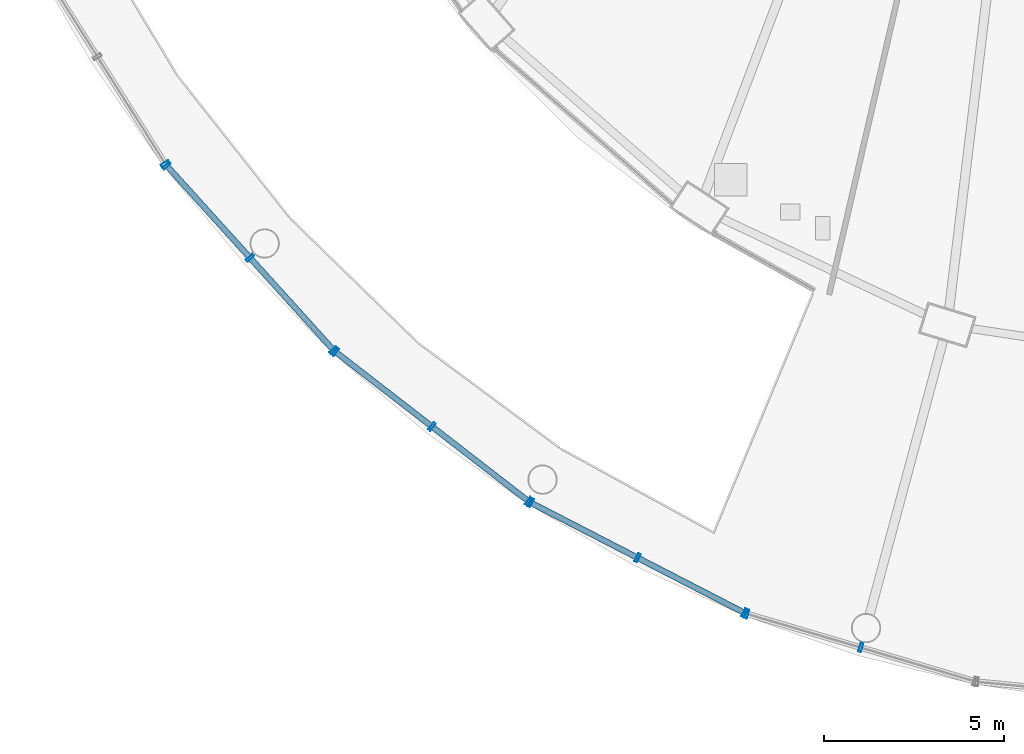
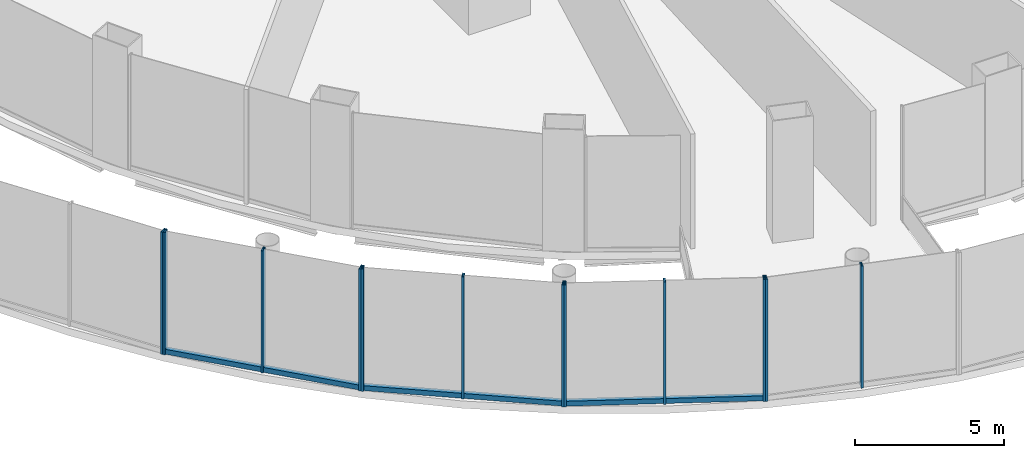
# One storey, part 3 of 47: 15 members, 5 elements without a shape of their own.
"""IFC4 building model written with IfcOpenShell, lengths in metres."""

from ifc_helpers import new_model, si_unit, direction, frame, origin, origin_2d, place, context, subcontext, project, spatial, hollow_rectangle, extrude, material, layer, layer_set, material_profile, profile_set, type_object, element, aggregate, save


model = new_model("IFC4")

# Units and contexts
model_context = context("Model", 3, precision=1e-05, world=origin(), true_north=direction((0.0, 1.0)))
body_context = subcontext(model_context, "Body", "Model", "MODEL_VIEW")
ifc_project = project(units=[si_unit("LENGTHUNIT", "METRE"), si_unit("AREAUNIT", "SQUARE_METRE"), si_unit("VOLUMEUNIT", "CUBIC_METRE"), si_unit("PLANEANGLEUNIT", "RADIAN"), si_unit("MASSUNIT", "GRAM", prefix="KILO")], contexts=[model_context])

# Site, building, storey
site_placement = place(None, origin())
site = spatial("IfcSite", under=ifc_project, at=site_placement, CompositionType="ELEMENT")
building_placement = place(site_placement, origin())
building = spatial("IfcBuilding", under=site, at=building_placement, Name="Nagisa Residences", CompositionType="ELEMENT")
storey_placement = place(building_placement, frame((0.0, 0.0, 7.0)))
storey = spatial("IfcBuildingStorey", under=building, at=storey_placement, Name="L01", CompositionType="ELEMENT", Elevation=7.0)

# Curtain wall, member
ifc_material_1 = material(Name="Stainless steel curtain wall system", Category="steel")
ifc_layer = layer(ifc_material_1, 0.159912109375)
ifc_layer_set = layer_set([ifc_layer], Name="CW3 CURTAIN WALL")
curtain_wall_type = type_object("IfcCurtainWallType", Name="CW3 CURTAIN WALL", PredefinedType="NOTDEFINED", material=ifc_layer_set)
curtain_wall_1_placement = place(storey_placement, origin())
curtain_wall_1 = element("IfcCurtainWall", 1, at=curtain_wall_1_placement, inside=storey, type_object=curtain_wall_type, Name="cw:CW3:L01:21", PredefinedType="NOTDEFINED")
ifc_material_2 = material(Name="Stainless steel", Category="steel")
ifc_material_profile_1 = material_profile(ifc_material_2, hollow_rectangle(XDim=0.25, YDim=0.080078125, WallThickness=0.008056640625, at=origin_2d()), Name="CW3 MULLION 250x80")
ifc_profile_set_1 = profile_set([ifc_material_profile_1], Name="Stainless steel")
member_type_1 = type_object("IfcMemberType", Name="CW3 MULLION 250x80", PredefinedType="MULLION", material=ifc_profile_set_1)
member_1_placement = place(storey_placement, frame((-25.463623046875, -26.92041015625, 0.0), z_axis=(0.0, 0.0, 1.0), x_axis=(0.844747368001, 0.535165286856, 0.0)))
member_1 = element("IfcMember", 2, at=member_1_placement, type_object=member_type_1, Name="CW3 mullion", PredefinedType="MULLION", context=body_context, shape_type="SweptSolid", body=[
    extrude(hollow_rectangle(XDim=0.25, YDim=0.080078125, WallThickness=0.008056640625, at=origin_2d()), origin(), (0.0, 0.0, 1.0), 5.0),
])
aggregate(curtain_wall_1, [member_1])

# Curtain wall, members
curtain_wall_2_placement = place(storey_placement, origin())
curtain_wall_2 = element("IfcCurtainWall", 3, at=curtain_wall_2_placement, inside=storey, type_object=curtain_wall_type, Name="cw:CW3:L01:22", PredefinedType="NOTDEFINED")
member_2_placement = place(storey_placement, frame((-25.423583984375, -26.97314453125, 0.0), z_axis=(0.0, 0.0, 1.0), x_axis=(0.741535779122, 0.670913323971, 0.0)))
member_2 = element("IfcMember", 4, at=member_2_placement, type_object=member_type_1, Name="CW3 mullion", PredefinedType="MULLION", context=body_context, shape_type="SweptSolid", body=[
    extrude(hollow_rectangle(XDim=0.25, YDim=0.080078125, WallThickness=0.008056640625, at=origin_2d()), origin(), (0.0, 0.0, 1.0), 5.0),
])
member_3_placement = place(storey_placement, frame((-23.1083984375, -29.53173828125, 0.0), z_axis=(0.0, 0.0, 1.0), x_axis=(0.741535779122, 0.670913323971, 0.0)))
member_3 = element("IfcMember", 5, at=member_3_placement, type_object=member_type_1, Name="CW3 mullion", PredefinedType="MULLION", context=body_context, shape_type="SweptSolid", body=[
    extrude(hollow_rectangle(XDim=0.25, YDim=0.080078125, WallThickness=0.008056640625, at=origin_2d()), origin(), (0.0, 0.0, 1.0), 5.0),
])
member_4_placement = place(storey_placement, frame((-20.79345703125, -32.090576171875, 0.0), z_axis=(0.0, 0.0, 1.0), x_axis=(0.741535779122, 0.670913323971, 0.0)))
member_4 = element("IfcMember", 6, at=member_4_placement, type_object=member_type_1, Name="CW3 mullion", PredefinedType="MULLION", context=body_context, shape_type="SweptSolid", body=[
    extrude(hollow_rectangle(XDim=0.25, YDim=0.080078125, WallThickness=0.008056640625, at=origin_2d()), origin(), (0.0, 0.0, 1.0), 5.0),
])

curtain_wall_3_placement = place(storey_placement, origin())
curtain_wall_3 = element("IfcCurtainWall", 7, at=curtain_wall_3_placement, inside=storey, type_object=curtain_wall_type, Name="cw:CW3:L01:23", PredefinedType="NOTDEFINED")
member_5_placement = place(storey_placement, frame((-20.745361328125, -32.135009765625, 0.0), z_axis=(0.0, 0.0, 1.0), x_axis=(0.612034757172, 0.790830864353, 0.0)))
member_5 = element("IfcMember", 8, at=member_5_placement, type_object=member_type_1, Name="CW3 mullion", PredefinedType="MULLION", context=body_context, shape_type="SweptSolid", body=[
    extrude(hollow_rectangle(XDim=0.25, YDim=0.080078125, WallThickness=0.008056640625, at=origin_2d()), origin(), (0.0, 0.0, 1.0), 5.0),
])
member_6_placement = place(storey_placement, frame((-18.06396484375, -34.210205078125, 0.0), z_axis=(0.0, 0.0, 1.0), x_axis=(0.612034757172, 0.790830864353, 0.0)))
member_6 = element("IfcMember", 9, at=member_6_placement, type_object=member_type_1, Name="CW3 mullion", PredefinedType="MULLION", context=body_context, shape_type="SweptSolid", body=[
    extrude(hollow_rectangle(XDim=0.25, YDim=0.080078125, WallThickness=0.008056640625, at=origin_2d()), origin(), (0.0, 0.0, 1.0), 5.0),
])
member_7_placement = place(storey_placement, frame((-15.382568359375, -36.285400390625, 0.0), z_axis=(0.0, 0.0, 1.0), x_axis=(0.612034757172, 0.790830864353, 0.0)))
member_7 = element("IfcMember", 10, at=member_7_placement, type_object=member_type_1, Name="CW3 mullion", PredefinedType="MULLION", context=body_context, shape_type="SweptSolid", body=[
    extrude(hollow_rectangle(XDim=0.25, YDim=0.080078125, WallThickness=0.008056640625, at=origin_2d()), origin(), (0.0, 0.0, 1.0), 5.0),
])

curtain_wall_4_placement = place(storey_placement, origin())
curtain_wall_4 = element("IfcCurtainWall", 11, at=curtain_wall_4_placement, inside=storey, type_object=curtain_wall_type, Name="cw:CW3:L01:24", PredefinedType="NOTDEFINED")
member_8_placement = place(storey_placement, frame((-15.327880859375, -36.3203125, 0.0), z_axis=(0.0, 0.0, 1.0), x_axis=(0.45812598783, 0.888887270285, 0.0)))
member_8 = element("IfcMember", 12, at=member_8_placement, type_object=member_type_1, Name="CW3 mullion", PredefinedType="MULLION", context=body_context, shape_type="SweptSolid", body=[
    extrude(hollow_rectangle(XDim=0.25, YDim=0.080078125, WallThickness=0.008056640625, at=origin_2d()), origin(), (0.0, 0.0, 1.0), 5.0),
])
member_9_placement = place(storey_placement, frame((-12.36181640625, -37.848876953125, 0.0), z_axis=(0.0, 0.0, 1.0), x_axis=(0.45812598783, 0.888887270285, 0.0)))
member_9 = element("IfcMember", 13, at=member_9_placement, type_object=member_type_1, Name="CW3 mullion", PredefinedType="MULLION", context=body_context, shape_type="SweptSolid", body=[
    extrude(hollow_rectangle(XDim=0.25, YDim=0.080078125, WallThickness=0.008056640625, at=origin_2d()), origin(), (0.0, 0.0, 1.0), 5.0),
])
member_10_placement = place(storey_placement, frame((-9.395751953125, -39.377685546875, 0.0), z_axis=(0.0, 0.0, 1.0), x_axis=(0.45812598783, 0.888887270285, 0.0)))
member_10 = element("IfcMember", 14, at=member_10_placement, type_object=member_type_1, Name="CW3 mullion", PredefinedType="MULLION", context=body_context, shape_type="SweptSolid", body=[
    extrude(hollow_rectangle(XDim=0.25, YDim=0.080078125, WallThickness=0.008056640625, at=origin_2d()), origin(), (0.0, 0.0, 1.0), 5.0),
])

curtain_wall_5_placement = place(storey_placement, origin())
curtain_wall_5 = element("IfcCurtainWall", 15, at=curtain_wall_5_placement, inside=storey, type_object=curtain_wall_type, Name="cw:CW3:L01:25", PredefinedType="NOTDEFINED")
member_11_placement = place(storey_placement, frame((-9.335693359375, -39.40185546875, 0.0), z_axis=(0.0, 0.0, 1.0), x_axis=(0.283963226669, 0.958835171393, 0.0)))
member_11 = element("IfcMember", 16, at=member_11_placement, type_object=member_type_1, Name="CW3 mullion", PredefinedType="MULLION", context=body_context, shape_type="SweptSolid", body=[
    extrude(hollow_rectangle(XDim=0.25, YDim=0.080078125, WallThickness=0.008056640625, at=origin_2d()), origin(), (0.0, 0.0, 1.0), 5.0),
])
member_12_placement = place(storey_placement, frame((-6.175048828125, -40.337890625, 0.0), z_axis=(0.0, 0.0, 1.0), x_axis=(0.283963226669, 0.958835171393, 0.0)))
member_12 = element("IfcMember", 17, at=member_12_placement, type_object=member_type_1, Name="CW3 mullion", PredefinedType="MULLION", context=body_context, shape_type="SweptSolid", body=[
    extrude(hollow_rectangle(XDim=0.25, YDim=0.080078125, WallThickness=0.008056640625, at=origin_2d()), origin(), (0.0, 0.0, 1.0), 5.0),
])
aggregate(curtain_wall_5, [member_11, member_12])

# Member
ifc_material_3 = material(Name="Stainless steel", Category="steel")
ifc_material_profile_2 = material_profile(ifc_material_3, hollow_rectangle(XDim=0.159912109375, YDim=0.199951171875, WallThickness=0.008056640625, at=origin_2d()), Name="CW3 TRANSOM 160x200")
ifc_profile_set_2 = profile_set([ifc_material_profile_2], Name="Stainless steel")
member_type_2 = type_object("IfcMemberType", Name="CW3 TRANSOM 160x200", PredefinedType="USERDEFINED", material=ifc_profile_set_2)
member_13_placement = place(storey_placement, frame((-25.450439453125, -26.943359375, 0.10009765625), z_axis=(0.670921565259, -0.741528322635, 0.0), x_axis=(0.741528322635, 0.670921565259, 0.0)))
member_13 = element("IfcMember", 18, at=member_13_placement, type_object=member_type_2, Name="CW3 transom", ObjectType="TRANSOM", PredefinedType="USERDEFINED", context=body_context, shape_type="SweptSolid", body=[
    extrude(hollow_rectangle(XDim=0.159912109375, YDim=0.199951171875, WallThickness=0.008056640625, at=origin_2d()), origin(), (0.0, 0.0, 1.0), 6.981201171875),
])

aggregate(curtain_wall_2, [member_2, member_3, member_4, member_13])

member_14_placement = place(storey_placement, frame((-20.77685546875, -32.110595703125, 0.10009765625), z_axis=(0.790821490188, -0.612046869656, 0.0), x_axis=(0.612046869656, 0.790821490188, 0.0)))
member_14 = element("IfcMember", 19, at=member_14_placement, type_object=member_type_2, Name="CW3 transom", ObjectType="TRANSOM", PredefinedType="USERDEFINED", context=body_context, shape_type="SweptSolid", body=[
    extrude(hollow_rectangle(XDim=0.159912109375, YDim=0.199951171875, WallThickness=0.008056640625, at=origin_2d()), origin(), (0.0, 0.0, 1.0), 6.86083984375),
])

aggregate(curtain_wall_3, [member_5, member_6, member_7, member_14])

member_15_placement = place(storey_placement, frame((-15.36328125, -36.302001953125, 0.10009765625), z_axis=(0.888887130152, -0.458126259726, 0.0), x_axis=(0.458126259726, 0.888887130152, 0.0)))
member_15 = element("IfcMember", 20, at=member_15_placement, type_object=member_type_2, Name="CW3 transom", ObjectType="TRANSOM", PredefinedType="USERDEFINED", context=body_context, shape_type="SweptSolid", body=[
    extrude(hollow_rectangle(XDim=0.159912109375, YDim=0.199951171875, WallThickness=0.008056640625, at=origin_2d()), origin(), (0.0, 0.0, 1.0), 6.753662109375),
])

aggregate(curtain_wall_4, [member_8, member_9, member_10, member_15])

save(model, "model.ifc")
